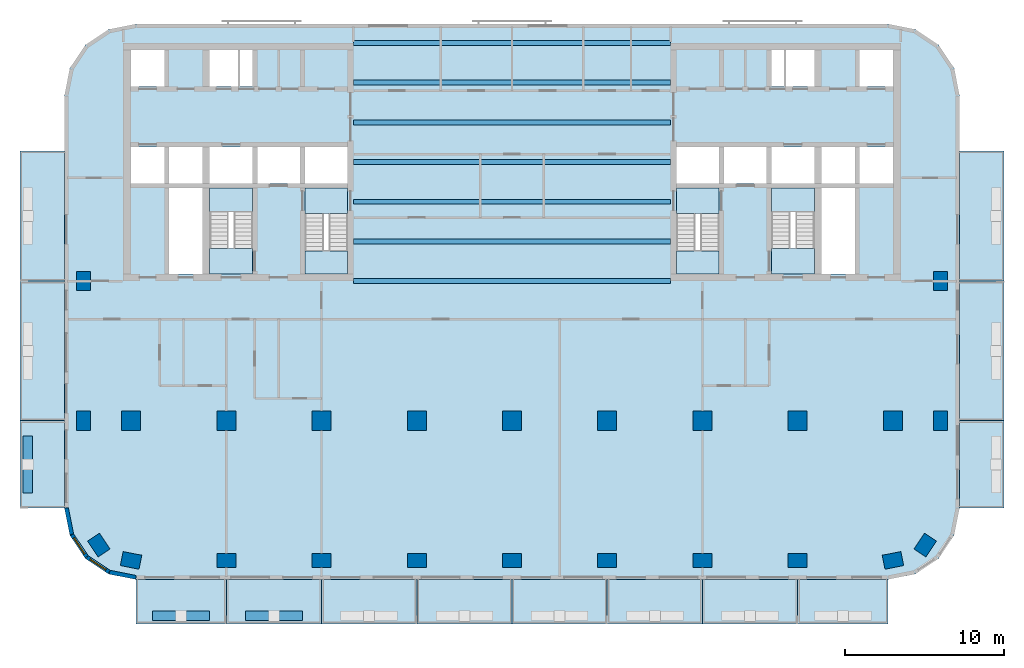
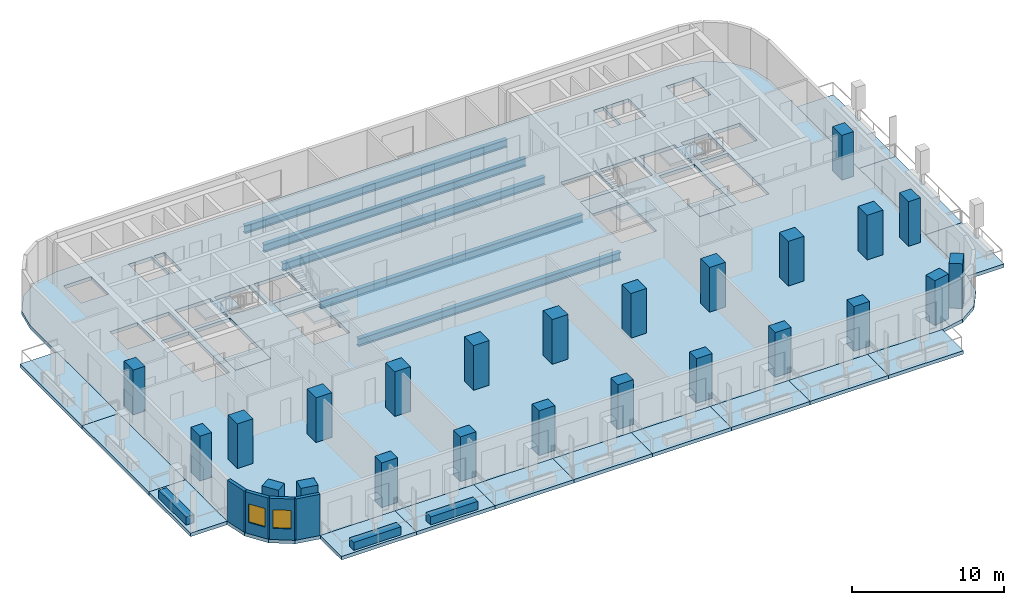
# One storey, part 1 of 11: 24 columns, 23 slabs, 7 beams, 7 walls, 2 windows, 2 openings, 4 elements without a shape of their own.
"""IFC4 building model written with IfcOpenShell, lengths in metres."""

from ifc_helpers import new_model, si_unit, direction, frame, frame_2d, origin, origin_2d, place, context, subcontext, project, spatial, polyline, rectangle, i_section, outline, extrude, material, layer, layer_set, material_profile, profile_set, type_object, element, fill, aggregate, save


model = new_model("IFC4")

# Units and contexts
model_context = context("Model", 3, precision=1e-05, world=origin(), true_north=direction((0.0, 1.0)))
body_context = subcontext(model_context, "Body", "Model", "MODEL_VIEW")
ifc_project = project(units=[si_unit("LENGTHUNIT", "METRE"), si_unit("AREAUNIT", "SQUARE_METRE"), si_unit("VOLUMEUNIT", "CUBIC_METRE"), si_unit("PLANEANGLEUNIT", "RADIAN"), si_unit("MASSUNIT", "GRAM", prefix="KILO")], contexts=[model_context])

# Site, building, storey
site_placement = place(None, origin())
site = spatial("IfcSite", under=ifc_project, at=site_placement, CompositionType="ELEMENT")
building_placement = place(site_placement, origin())
building = spatial("IfcBuilding", under=site, at=building_placement, Name="Torana Hotel and Residences", CompositionType="ELEMENT")
storey_placement = place(building_placement, frame((0.0, 0.0, 166.800048828125)))
storey = spatial("IfcBuildingStorey", under=building, at=storey_placement, Name="L43", CompositionType="ELEMENT", Elevation=166.800048828125)

# Columns
ifc_material_1 = material(Name="Concrete C70/85", Category="concrete")
ifc_material_profile_1 = material_profile(ifc_material_1, rectangle(XDim=1.199951171875, YDim=1.199951171875, at=origin_2d()), Name="RC 1200x1200")
ifc_profile_set_1 = profile_set([ifc_material_profile_1], Name="Concrete C70/85")
column_type_1 = type_object("IfcColumnType", Name="COLUMN RC 1200x1200 C70/85", PredefinedType="COLUMN", material=ifc_profile_set_1)
for number, where, z_axis, x_axis, name in (
    (1, (-24.0, -23.800048828125, 0.0), (0.0, 0.0, 1.0), (1.0, 0.0, 0.0), "Column L43"),
    (2, (-18.0, -23.800048828125, 0.0), (0.0, 0.0, 1.0), (1.0, 0.0, 0.0), "Column L43"),
    (3, (-12.0, -23.800048828125, 0.0), (0.0, 0.0, 1.0), (1.0, 0.0, 0.0), "Column L43"),
    (4, (-6.0, -23.800048828125, 0.0), (0.0, 0.0, 1.0), (1.0, 0.0, 0.0), "Column L43"),
    (5, (0.0, -23.800048828125, 0.0), (0.0, 0.0, 1.0), (1.0, 0.0, 0.0), "Column L43"),
    (6, (6.0, -23.800048828125, 0.0), (0.0, 0.0, 1.0), (1.0, 0.0, 0.0), "Column L43"),
    (7, (12.0, -23.800048828125, 0.0), (0.0, 0.0, 1.0), (1.0, 0.0, 0.0), "Column L43"),
    (8, (18.0, -23.800048828125, 0.0), (0.0, 0.0, 1.0), (1.0, 0.0, 0.0), "Column L43"),
    (9, (24.0, -23.800048828125, 0.0), (0.0, 0.0, 1.0), (1.0, 0.0, 0.0), "Column L43"),
):
    element("IfcColumn", number, at=place(storey_placement, frame(where, z_axis=z_axis, x_axis=x_axis)), inside=storey, type_object=column_type_1, Name=name, PredefinedType="COLUMN", context=body_context, shape_type="SweptSolid", body=[
        extrude(rectangle(XDim=1.199951171875, YDim=1.199951171875, at=origin_2d()), origin(), (0.0, 0.0, 1.0), 3.599853515625),
    ])
ifc_material_2 = material(Name="Concrete C70/85", Category="concrete")
ifc_material_profile_2 = material_profile(ifc_material_2, rectangle(XDim=1.199951171875, YDim=0.89990234375, at=origin_2d()), Name="RC 1200x900")
ifc_profile_set_2 = profile_set([ifc_material_profile_2], Name="Concrete C70/85")
column_type_2 = type_object("IfcColumnType", Name="COLUMN RC 1200x900 C70/85", PredefinedType="COLUMN", material=ifc_profile_set_2)
for number, where, z_axis, x_axis, name in (
    (10, (-27.0, -23.800048828125, 0.0), (0.0, 0.0, 1.0), (0.0, 1.0, 0.0), "Column L43"),
    (11, (-27.0, -15.0, 0.0), (0.0, 0.0, 1.0), (0.0, 1.0, 0.0), "Column L43"),
    (12, (-26.032958984375, -31.633056640625, 0.0), (0.0, 0.0, 1.0), (-0.555584744817, 0.831459915646, 0.0), "Column L43"),
    (13, (-24.0, -32.60009765625, 0.0), (0.0, 0.0, 1.0), (-0.980792089743, 0.195056086032, 0.0), "Column L43"),
    (14, (-18.0, -32.60009765625, 0.0), (0.0, 0.0, 1.0), (1.0, 0.0, 0.0), "Column L43"),
    (15, (-12.0, -32.60009765625, 0.0), (0.0, 0.0, 1.0), (1.0, 0.0, 0.0), "Column L43"),
    (16, (-6.0, -32.60009765625, 0.0), (0.0, 0.0, 1.0), (1.0, 0.0, 0.0), "Column L43"),
    (17, (0.0, -32.60009765625, 0.0), (0.0, 0.0, 1.0), (1.0, 0.0, 0.0), "Column L43"),
    (18, (6.0, -32.60009765625, 0.0), (0.0, 0.0, 1.0), (1.0, 0.0, 0.0), "Column L43"),
    (19, (12.0, -32.60009765625, 0.0), (0.0, 0.0, 1.0), (1.0, 0.0, 0.0), "Column L43"),
    (20, (18.0, -32.60009765625, 0.0), (0.0, 0.0, 1.0), (1.0, 0.0, 0.0), "Column L43"),
    (21, (24.0, -32.60009765625, 0.0), (0.0, 0.0, 1.0), (0.980792089743, 0.195056086032, 0.0), "Column L43"),
    (22, (26.032958984375, -31.633056640625, 0.0), (0.0, 0.0, 1.0), (0.555584744817, 0.831459915646, 0.0), "Column L43"),
    (23, (27.0, -23.800048828125, 0.0), (0.0, 0.0, 1.0), (0.0, 1.0, 0.0), "Column L43"),
    (24, (27.0, -15.0, 0.0), (0.0, 0.0, 1.0), (0.0, 1.0, 0.0), "Column L43"),
):
    element("IfcColumn", number, at=place(storey_placement, frame(where, z_axis=z_axis, x_axis=x_axis)), inside=storey, type_object=column_type_2, Name=name, PredefinedType="COLUMN", context=body_context, shape_type="SweptSolid", body=[
        extrude(rectangle(XDim=1.199951171875, YDim=0.89990234375, at=origin_2d()), origin(), (0.0, 0.0, 1.0), 3.599853515625),
    ])

# Beams
ifc_material_3 = material(Name="Steel S355", Category="steel")
ifc_material_profile_3 = material_profile(ifc_material_3, i_section(OverallWidth=0.311279296875, OverallDepth=0.6357421875, WebThickness=0.018310546875, FlangeThickness=0.031494140625, FilletRadius=0.0166015625, at=origin_2d()), Name="610x305x238 UB")
ifc_profile_set_3 = profile_set([ifc_material_profile_3], Name="Steel S355")
beam_type = type_object("IfcBeamType", Name="STEEL GIRDER 610x305x238 UB", PredefinedType="BEAM", material=ifc_profile_set_3)
for number, where, z_axis, x_axis, name in (
    (25, (-10.0, -15.0, -0.597900390625), (1.0, 0.0, 0.0), (0.0, 1.0, 0.0), "Floor girder"),
    (26, (-10.0, -12.5, -0.597900390625), (1.0, 0.0, 0.0), (0.0, 1.0, 0.0), "Floor girder"),
    (27, (-10.0, -10.0, -0.597900390625), (1.0, 0.0, 0.0), (0.0, 1.0, 0.0), "Floor girder"),
    (28, (-10.0, -7.5, -0.597900390625), (1.0, 0.0, 0.0), (0.0, 1.0, 0.0), "Floor girder"),
    (29, (-10.0, -5.0, -0.597900390625), (1.0, 0.0, 0.0), (0.0, 1.0, 0.0), "Floor girder"),
    (30, (-10.0, -2.5, -0.597900390625), (1.0, 0.0, 0.0), (0.0, 1.0, 0.0), "Floor girder"),
    (31, (-10.0, 0.0, -0.597900390625), (1.0, 0.0, 0.0), (0.0, 1.0, 0.0), "Floor girder"),
):
    element("IfcBeam", number, at=place(storey_placement, frame(where, z_axis=z_axis, x_axis=x_axis)), inside=storey, type_object=beam_type, Name=name, PredefinedType="BEAM", context=body_context, shape_type="SweptSolid", body=[
        extrude(i_section(OverallWidth=0.311279296875, OverallDepth=0.6357421875, WebThickness=0.018310546875, FlangeThickness=0.031494140625, FilletRadius=0.0166015625, at=origin_2d()), origin(), (0.0, 0.0, 1.0), 20.0),
    ])

# Slabs
ifc_material_4 = material(Name="Concrete C40/50", Category="concrete")
ifc_layer_1 = layer(ifc_material_4, 0.280029296875)
ifc_layer_set_1 = layer_set([ifc_layer_1], Name="BAL1 BALCONY SLAB 280")
slab_type_1 = type_object("IfcSlabType", Name="BAL1 BALCONY SLAB 280", PredefinedType="USERDEFINED", material=ifc_layer_set_1)
slab_1_placement = place(storey_placement, frame((0.0, 0.0, -0.280029296875)))
element("IfcSlab", 32, at=slab_1_placement, inside=storey, type_object=slab_type_1, Name="Balcony 01", ObjectType="BALCONY", PredefinedType="USERDEFINED", context=body_context, shape_type="SweptSolid", body=[
    extrude(outline(polyline([(-23.699951171875, -36.60009765625), (-18.0, -36.60009765625), (-18.0, -33.800048828125), (-23.699951171875, -33.800048828125), (-23.699951171875, -36.60009765625)])), origin(), (0.0, 0.0, 1.0), 0.280029296875),
])
slab_2_placement = place(storey_placement, frame((0.0, 0.0, -0.280029296875)))
element("IfcSlab", 33, at=slab_2_placement, inside=storey, type_object=slab_type_1, Name="Balcony 02", ObjectType="BALCONY", PredefinedType="USERDEFINED", context=body_context, shape_type="SweptSolid", body=[
    extrude(outline(polyline([(-18.0, -36.60009765625), (-12.0, -36.60009765625), (-12.0, -33.800048828125), (-18.0, -33.800048828125), (-18.0, -36.60009765625)])), origin(), (0.0, 0.0, 1.0), 0.280029296875),
])
slab_3_placement = place(storey_placement, frame((0.0, 0.0, -0.280029296875)))
element("IfcSlab", 34, at=slab_3_placement, inside=storey, type_object=slab_type_1, Name="Balcony 03", ObjectType="BALCONY", PredefinedType="USERDEFINED", context=body_context, shape_type="SweptSolid", body=[
    extrude(outline(polyline([(-12.0, -36.60009765625), (-6.0, -36.60009765625), (-6.0, -33.800048828125), (-12.0, -33.800048828125), (-12.0, -36.60009765625)])), origin(), (0.0, 0.0, 1.0), 0.280029296875),
])
slab_4_placement = place(storey_placement, frame((0.0, 0.0, -0.280029296875)))
element("IfcSlab", 35, at=slab_4_placement, inside=storey, type_object=slab_type_1, Name="Balcony 04", ObjectType="BALCONY", PredefinedType="USERDEFINED", context=body_context, shape_type="SweptSolid", body=[
    extrude(outline(polyline([(-6.0, -36.60009765625), (0.0, -36.60009765625), (0.0, -33.800048828125), (-6.0, -33.800048828125), (-6.0, -36.60009765625)])), origin(), (0.0, 0.0, 1.0), 0.280029296875),
])
slab_5_placement = place(storey_placement, frame((0.0, 0.0, -0.280029296875)))
element("IfcSlab", 36, at=slab_5_placement, inside=storey, type_object=slab_type_1, Name="Balcony 05", ObjectType="BALCONY", PredefinedType="USERDEFINED", context=body_context, shape_type="SweptSolid", body=[
    extrude(outline(polyline([(0.0, -36.60009765625), (6.0, -36.60009765625), (6.0, -33.800048828125), (0.0, -33.800048828125), (0.0, -36.60009765625)])), origin(), (0.0, 0.0, 1.0), 0.280029296875),
])
slab_6_placement = place(storey_placement, frame((0.0, 0.0, -0.280029296875)))
element("IfcSlab", 37, at=slab_6_placement, inside=storey, type_object=slab_type_1, Name="Balcony 06", ObjectType="BALCONY", PredefinedType="USERDEFINED", context=body_context, shape_type="SweptSolid", body=[
    extrude(outline(polyline([(6.0, -36.60009765625), (12.0, -36.60009765625), (12.0, -33.800048828125), (6.0, -33.800048828125), (6.0, -36.60009765625)])), origin(), (0.0, 0.0, 1.0), 0.280029296875),
])
slab_7_placement = place(storey_placement, frame((0.0, 0.0, -0.280029296875)))
element("IfcSlab", 38, at=slab_7_placement, inside=storey, type_object=slab_type_1, Name="Balcony 07", ObjectType="BALCONY", PredefinedType="USERDEFINED", context=body_context, shape_type="SweptSolid", body=[
    extrude(outline(polyline([(12.0, -36.60009765625), (18.0, -36.60009765625), (18.0, -33.800048828125), (12.0, -33.800048828125), (12.0, -36.60009765625)])), origin(), (0.0, 0.0, 1.0), 0.280029296875),
])
slab_8_placement = place(storey_placement, frame((0.0, 0.0, -0.280029296875)))
element("IfcSlab", 39, at=slab_8_placement, inside=storey, type_object=slab_type_1, Name="Balcony 08", ObjectType="BALCONY", PredefinedType="USERDEFINED", context=body_context, shape_type="SweptSolid", body=[
    extrude(outline(polyline([(18.0, -36.60009765625), (23.699951171875, -36.60009765625), (23.699951171875, -33.800048828125), (18.0, -33.800048828125), (18.0, -36.60009765625)])), origin(), (0.0, 0.0, 1.0), 0.280029296875),
])
slab_9_placement = place(storey_placement, frame((0.0, 0.0, -0.280029296875)))
element("IfcSlab", 40, at=slab_9_placement, inside=storey, type_object=slab_type_1, Name="Balcony 09", ObjectType="BALCONY", PredefinedType="USERDEFINED", context=body_context, shape_type="SweptSolid", body=[
    extrude(outline(polyline([(-31.0, -29.300048828125), (-28.199951171875, -29.300048828125), (-28.199951171875, -23.800048828125), (-31.0, -23.800048828125), (-31.0, -29.300048828125)])), origin(), (0.0, 0.0, 1.0), 0.280029296875),
])
slab_10_placement = place(storey_placement, frame((0.0, 0.0, -0.280029296875)))
element("IfcSlab", 41, at=slab_10_placement, inside=storey, type_object=slab_type_1, Name="Balcony 10", ObjectType="BALCONY", PredefinedType="USERDEFINED", context=body_context, shape_type="SweptSolid", body=[
    extrude(outline(polyline([(-31.0, -23.800048828125), (-28.199951171875, -23.800048828125), (-28.199951171875, -15.0), (-31.0, -15.0), (-31.0, -23.800048828125)])), origin(), (0.0, 0.0, 1.0), 0.280029296875),
])
slab_11_placement = place(storey_placement, frame((0.0, 0.0, -0.280029296875)))
element("IfcSlab", 42, at=slab_11_placement, inside=storey, type_object=slab_type_1, Name="Balcony 11", ObjectType="BALCONY", PredefinedType="USERDEFINED", context=body_context, shape_type="SweptSolid", body=[
    extrude(outline(polyline([(-31.0, -15.0), (-28.199951171875, -15.0), (-28.199951171875, -6.800048828125), (-31.0, -6.800048828125), (-31.0, -15.0)])), origin(), (0.0, 0.0, 1.0), 0.280029296875),
])
slab_12_placement = place(storey_placement, frame((0.0, 0.0, -0.280029296875)))
element("IfcSlab", 43, at=slab_12_placement, inside=storey, type_object=slab_type_1, Name="Balcony 12", ObjectType="BALCONY", PredefinedType="USERDEFINED", context=body_context, shape_type="SweptSolid", body=[
    extrude(outline(polyline([(28.199951171875, -29.300048828125), (31.0, -29.300048828125), (31.0, -23.800048828125), (28.199951171875, -23.800048828125), (28.199951171875, -29.300048828125)])), origin(), (0.0, 0.0, 1.0), 0.280029296875),
])
slab_13_placement = place(storey_placement, frame((0.0, 0.0, -0.280029296875)))
element("IfcSlab", 44, at=slab_13_placement, inside=storey, type_object=slab_type_1, Name="Balcony 13", ObjectType="BALCONY", PredefinedType="USERDEFINED", context=body_context, shape_type="SweptSolid", body=[
    extrude(outline(polyline([(28.199951171875, -23.800048828125), (31.0, -23.800048828125), (31.0, -15.0), (28.199951171875, -15.0), (28.199951171875, -23.800048828125)])), origin(), (0.0, 0.0, 1.0), 0.280029296875),
])
slab_14_placement = place(storey_placement, frame((0.0, 0.0, -0.280029296875)))
element("IfcSlab", 45, at=slab_14_placement, inside=storey, type_object=slab_type_1, Name="Balcony 14", ObjectType="BALCONY", PredefinedType="USERDEFINED", context=body_context, shape_type="SweptSolid", body=[
    extrude(outline(polyline([(28.199951171875, -15.0), (31.0, -15.0), (31.0, -6.800048828125), (28.199951171875, -6.800048828125), (28.199951171875, -15.0)])), origin(), (0.0, 0.0, 1.0), 0.280029296875),
])
ifc_material_5 = material(Name="Concrete C40/50", Category="concrete")
ifc_layer_2 = layer(ifc_material_5, 0.280029296875)
ifc_layer_set_2 = layer_set([ifc_layer_2], Name="FLOOR SLAB PT 280")
slab_type_2 = type_object("IfcSlabType", Name="FLOOR SLAB PT 280", PredefinedType="FLOOR", material=ifc_layer_set_2)
slab_15_placement = place(storey_placement, frame((0.0, 0.0, -0.280029296875)))
element("IfcSlab", 46, at=slab_15_placement, inside=storey, type_object=slab_type_2, Name="Floor slab", PredefinedType="FLOOR", context=body_context, shape_type="SweptSolid", body=[
    extrude(outline(polyline([(28.199951171875, -3.300048828125), (27.857421875, -1.577880859375), (26.882080078125, -0.117919921875), (25.422119140625, 0.857421875), (23.699951171875, 1.199951171875), (-23.699951171875, 1.199951171875), (-25.422119140625, 0.857421875), (-26.882080078125, -0.117919921875), (-27.857421875, -1.577880859375), (-28.199951171875, -3.300048828125), (-28.199951171875, -29.300048828125), (-27.857421875, -31.022216796875), (-26.882080078125, -32.48193359375), (-25.422119140625, -33.45751953125), (-23.699951171875, -33.800048828125), (23.699951171875, -33.800048828125), (25.422119140625, -33.45751953125), (26.882080078125, -32.48193359375), (27.857421875, -31.022216796875), (28.199951171875, -29.300048828125), (28.199951171875, -3.300048828125)]), holes=[polyline([(-13.050048828125, -14.550048828125), (-10.35009765625, -14.550048828125), (-10.35009765625, -9.14990234375), (-13.050048828125, -9.14990234375), (-13.050048828125, -14.550048828125)]), polyline([(-19.050048828125, -14.550048828125), (-16.35009765625, -14.550048828125), (-16.35009765625, -9.14990234375), (-19.050048828125, -9.14990234375), (-19.050048828125, -14.550048828125)]), polyline([(-17.125, -2.75), (-16.35009765625, -2.75), (-16.35009765625, -0.449951171875), (-17.125, -0.449951171875), (-17.125, -2.75)]), polyline([(-19.050048828125, -2.75), (-17.27490234375, -2.75), (-17.27490234375, -0.449951171875), (-19.050048828125, -0.449951171875), (-19.050048828125, -2.75)]), polyline([(-21.60009765625, -8.85009765625), (-19.5, -8.85009765625), (-19.5, -6.550048828125), (-21.60009765625, -6.550048828125), (-21.60009765625, -8.85009765625)]), polyline([(-24.0, -2.75), (-21.89990234375, -2.75), (-21.89990234375, -0.449951171875), (-24.0, -0.449951171875), (-24.0, -2.75)]), polyline([(-24.0, -8.85009765625), (-21.89990234375, -8.85009765625), (-21.89990234375, -6.550048828125), (-24.0, -6.550048828125), (-24.0, -8.85009765625)]), polyline([(-13.050048828125, -8.85009765625), (-10.35009765625, -8.85009765625), (-10.35009765625, -6.550048828125), (-13.050048828125, -6.550048828125), (-13.050048828125, -8.85009765625)]), polyline([(-16.050048828125, -8.85009765625), (-13.35009765625, -8.85009765625), (-13.35009765625, -6.550048828125), (-16.050048828125, -6.550048828125), (-16.050048828125, -8.85009765625)]), polyline([(-19.050048828125, -8.85009765625), (-16.35009765625, -8.85009765625), (-16.35009765625, -6.550048828125), (-19.050048828125, -6.550048828125), (-19.050048828125, -8.85009765625)]), polyline([(-21.60009765625, -14.550048828125), (-19.5, -14.550048828125), (-19.5, -9.14990234375), (-21.60009765625, -9.14990234375), (-21.60009765625, -14.550048828125)]), polyline([(10.35009765625, -14.550048828125), (13.050048828125, -14.550048828125), (13.050048828125, -9.14990234375), (10.35009765625, -9.14990234375), (10.35009765625, -14.550048828125)]), polyline([(16.35009765625, -14.550048828125), (19.050048828125, -14.550048828125), (19.050048828125, -9.14990234375), (16.35009765625, -9.14990234375), (16.35009765625, -14.550048828125)]), polyline([(16.35009765625, -2.75), (17.125, -2.75), (17.125, -0.449951171875), (16.35009765625, -0.449951171875), (16.35009765625, -2.75)]), polyline([(17.27490234375, -2.75), (19.050048828125, -2.75), (19.050048828125, -0.449951171875), (17.27490234375, -0.449951171875), (17.27490234375, -2.75)]), polyline([(19.5, -8.85009765625), (21.60009765625, -8.85009765625), (21.60009765625, -6.550048828125), (19.5, -6.550048828125), (19.5, -8.85009765625)]), polyline([(21.89990234375, -2.75), (24.0, -2.75), (24.0, -0.449951171875), (21.89990234375, -0.449951171875), (21.89990234375, -2.75)]), polyline([(21.89990234375, -8.85009765625), (24.0, -8.85009765625), (24.0, -6.550048828125), (21.89990234375, -6.550048828125), (21.89990234375, -8.85009765625)]), polyline([(10.35009765625, -8.85009765625), (13.050048828125, -8.85009765625), (13.050048828125, -6.550048828125), (10.35009765625, -6.550048828125), (10.35009765625, -8.85009765625)]), polyline([(13.35009765625, -8.85009765625), (16.050048828125, -8.85009765625), (16.050048828125, -6.550048828125), (13.35009765625, -6.550048828125), (13.35009765625, -8.85009765625)]), polyline([(16.35009765625, -8.85009765625), (19.050048828125, -8.85009765625), (19.050048828125, -6.550048828125), (16.35009765625, -6.550048828125), (16.35009765625, -8.85009765625)]), polyline([(19.5, -14.550048828125), (21.60009765625, -14.550048828125), (21.60009765625, -9.14990234375), (19.5, -9.14990234375), (19.5, -14.550048828125)])]), origin(), (0.0, 0.0, 1.0), 0.280029296875),
])

# Stair, slabs
ifc_material_6 = material(Name="Concrete C40/50 precast", Category="concrete")
stair_type_1 = type_object("IfcStairType", Name="STAIR ST1 HALF TURN 1200", PredefinedType="HALF_TURN_STAIR", material=ifc_material_6)
stair_1_placement = place(storey_placement, origin())
stair_1 = element("IfcStair", 47, at=stair_1_placement, inside=storey, type_object=stair_type_1, Name="Stair ST1 L43", PredefinedType="HALF_TURN_STAIR")
ifc_material_7 = material(Name="Concrete C40/50 precast", Category="concrete")
ifc_layer_3 = layer(ifc_material_7, 0.199951171875)
ifc_layer_set_3 = layer_set([ifc_layer_3], Name="STAIR LANDING 200")
slab_type_3 = type_object("IfcSlabType", Name="STAIR LANDING 200", PredefinedType="LANDING", material=ifc_layer_set_3)
slab_16_placement = place(storey_placement, frame((0.0, 0.0, 1.599853515625)))
slab_16 = element("IfcSlab", 48, at=slab_16_placement, type_object=slab_type_3, Name="ST1 landing 1", PredefinedType="LANDING", context=body_context, shape_type="SweptSolid", body=[
    extrude(outline(polyline([(-13.050048828125, -14.550048828125), (-10.35009765625, -14.550048828125), (-10.35009765625, -13.090087890625), (-13.050048828125, -13.090087890625), (-13.050048828125, -14.550048828125)])), origin(), (0.0, 0.0, 1.0), 0.2001953125),
])
slab_17_placement = place(storey_placement, frame((0.0, 0.0, -0.199951171875)))
slab_17 = element("IfcSlab", 49, at=slab_17_placement, type_object=slab_type_3, Name="ST1 landing 2", PredefinedType="LANDING", context=body_context, shape_type="SweptSolid", body=[
    extrude(outline(polyline([(-13.050048828125, -10.75), (-10.35009765625, -10.75), (-10.35009765625, -9.14990234375), (-13.050048828125, -9.14990234375), (-13.050048828125, -10.75)])), origin(), (0.0, 0.0, 1.0), 0.199951171875),
])
aggregate(stair_1, [slab_16, slab_17])

ifc_material_8 = material(Name="Concrete C40/50 precast", Category="concrete")
stair_type_2 = type_object("IfcStairType", Name="STAIR ST2 HALF TURN 1200", PredefinedType="HALF_TURN_STAIR", material=ifc_material_8)
stair_2_placement = place(storey_placement, origin())
stair_2 = element("IfcStair", 50, at=stair_2_placement, inside=storey, type_object=stair_type_2, Name="Stair ST2 L43", PredefinedType="HALF_TURN_STAIR")
slab_18_placement = place(storey_placement, frame((0.0, 0.0, 1.599853515625)))
slab_18 = element("IfcSlab", 51, at=slab_18_placement, type_object=slab_type_3, Name="ST2 landing 1", PredefinedType="LANDING", context=body_context, shape_type="SweptSolid", body=[
    extrude(outline(polyline([(-19.050048828125, -10.610107421875), (-16.35009765625, -10.610107421875), (-16.35009765625, -9.14990234375), (-19.050048828125, -9.14990234375), (-19.050048828125, -10.610107421875)])), origin(), (0.0, 0.0, 1.0), 0.2001953125),
])
slab_19_placement = place(storey_placement, frame((0.0, 0.0, -0.199951171875)))
slab_19 = element("IfcSlab", 52, at=slab_19_placement, type_object=slab_type_3, Name="ST2 landing 2", PredefinedType="LANDING", context=body_context, shape_type="SweptSolid", body=[
    extrude(outline(polyline([(-19.050048828125, -14.550048828125), (-16.35009765625, -14.550048828125), (-16.35009765625, -12.949951171875), (-19.050048828125, -12.949951171875), (-19.050048828125, -14.550048828125)])), origin(), (0.0, 0.0, 1.0), 0.199951171875),
])
aggregate(stair_2, [slab_18, slab_19])

ifc_material_9 = material(Name="Concrete C40/50 precast", Category="concrete")
stair_type_3 = type_object("IfcStairType", Name="STAIR ST3 HALF TURN 1200", PredefinedType="HALF_TURN_STAIR", material=ifc_material_9)
stair_3_placement = place(storey_placement, origin())
stair_3 = element("IfcStair", 53, at=stair_3_placement, inside=storey, type_object=stair_type_3, Name="Stair ST3 L43", PredefinedType="HALF_TURN_STAIR")
slab_20_placement = place(storey_placement, frame((0.0, 0.0, 1.599853515625)))
slab_20 = element("IfcSlab", 54, at=slab_20_placement, type_object=slab_type_3, Name="ST3 landing 1", PredefinedType="LANDING", context=body_context, shape_type="SweptSolid", body=[
    extrude(outline(polyline([(10.35009765625, -14.550048828125), (13.050048828125, -14.550048828125), (13.050048828125, -13.090087890625), (10.35009765625, -13.090087890625), (10.35009765625, -14.550048828125)])), origin(), (0.0, 0.0, 1.0), 0.2001953125),
])
slab_21_placement = place(storey_placement, frame((0.0, 0.0, -0.199951171875)))
slab_21 = element("IfcSlab", 55, at=slab_21_placement, type_object=slab_type_3, Name="ST3 landing 2", PredefinedType="LANDING", context=body_context, shape_type="SweptSolid", body=[
    extrude(outline(polyline([(10.35009765625, -10.75), (13.050048828125, -10.75), (13.050048828125, -9.14990234375), (10.35009765625, -9.14990234375), (10.35009765625, -10.75)])), origin(), (0.0, 0.0, 1.0), 0.199951171875),
])
aggregate(stair_3, [slab_20, slab_21])

ifc_material_10 = material(Name="Concrete C40/50 precast", Category="concrete")
stair_type_4 = type_object("IfcStairType", Name="STAIR ST4 HALF TURN 1200", PredefinedType="HALF_TURN_STAIR", material=ifc_material_10)
stair_4_placement = place(storey_placement, origin())
stair_4 = element("IfcStair", 56, at=stair_4_placement, inside=storey, type_object=stair_type_4, Name="Stair ST4 L43", PredefinedType="HALF_TURN_STAIR")
slab_22_placement = place(storey_placement, frame((0.0, 0.0, 1.599853515625)))
slab_22 = element("IfcSlab", 57, at=slab_22_placement, type_object=slab_type_3, Name="ST4 landing 1", PredefinedType="LANDING", context=body_context, shape_type="SweptSolid", body=[
    extrude(outline(polyline([(16.35009765625, -10.610107421875), (19.050048828125, -10.610107421875), (19.050048828125, -9.14990234375), (16.35009765625, -9.14990234375), (16.35009765625, -10.610107421875)])), origin(), (0.0, 0.0, 1.0), 0.2001953125),
])
slab_23_placement = place(storey_placement, frame((0.0, 0.0, -0.199951171875)))
slab_23 = element("IfcSlab", 58, at=slab_23_placement, type_object=slab_type_3, Name="ST4 landing 2", PredefinedType="LANDING", context=body_context, shape_type="SweptSolid", body=[
    extrude(outline(polyline([(16.35009765625, -14.550048828125), (19.050048828125, -14.550048828125), (19.050048828125, -12.949951171875), (16.35009765625, -12.949951171875), (16.35009765625, -14.550048828125)])), origin(), (0.0, 0.0, 1.0), 0.199951171875),
])
aggregate(stair_4, [slab_22, slab_23])

# Wall
ifc_material_11 = material(Name="Black aluminium composite panel", Category="aluminium")
ifc_layer_4 = layer(ifc_material_11, 0.00390625, Name="Cladding", Category="cladding")
ifc_material_12 = material(Name="Ventilated air cavity")
ifc_layer_5 = layer(ifc_material_12, 0.0400390625, Name="Ventilated cavity", Category="cavity")
ifc_material_13 = material(Name="Mineral wool insulation")
ifc_layer_6 = layer(ifc_material_13, 0.090087890625, Name="Insulation", Category="insulation")
ifc_material_14 = material(Name="Steel S280GD", Category="steel")
ifc_layer_7 = layer(ifc_material_14, 0.092041015625, Name="Steel stud frame", Category="structure")
ifc_material_15 = material(Name="Fire rated plasterboard")
ifc_layer_8 = layer(ifc_material_15, 0.011962890625, Name="Inner board", Category="finish")
ifc_layer_9 = layer(ifc_material_15, 0.011962890625, Name="Second board", Category="finish")
ifc_layer_set_4 = layer_set([ifc_layer_4, ifc_layer_5, ifc_layer_6, ifc_layer_7, ifc_layer_8, ifc_layer_9], Name="EW1 EXTERNAL WALL BLACK METAL CLAD 250")
wall_type_1 = type_object("IfcWallType", Name="EW1 EXTERNAL WALL BLACK METAL CLAD 250", PredefinedType="SOLIDWALL", material=ifc_layer_set_4)
wall_1_placement = place(storey_placement, frame((-28.072509765625, -29.2998046875, 0.0), z_axis=(0.0, 0.0, 1.0), x_axis=(0.194999110559, -0.980803419081, 0.0)))
element("IfcWall", 59, at=wall_1_placement, inside=storey, type_object=wall_type_1, Name="External wall L43 e0.10", PredefinedType="SOLIDWALL", context=body_context, shape_type="SweptSolid", body=[
    extrude(rectangle(XDim=1.681396484375, YDim=0.25, at=frame_2d((0.8408203125, 0.0))), origin(), (0.0, 0.0, 1.0), 3.320068359375),
])

# Wall, opening, window
wall_2_placement = place(storey_placement, frame((-27.725830078125, -30.993896484375, 0.0), z_axis=(0.0, 0.0, 1.0), x_axis=(0.55555029066, -0.831482937015, 0.0)))
wall_2 = element("IfcWall", 60, at=wall_2_placement, inside=storey, type_object=wall_type_1, Name="External wall L43 e0.11", PredefinedType="SOLIDWALL", context=body_context, shape_type="SweptSolid", body=[
    extrude(rectangle(XDim=1.65625, YDim=0.25, at=frame_2d((0.828125, 0.0))), origin(), (0.0, 0.0, 1.0), 3.320068359375),
])
opening_1_placement = place(wall_2_placement, frame((0.228271484375, 0.0, 0.89990234375)))
opening_1 = element("IfcOpeningElement", 61, at=opening_1_placement, cuts=wall_2, Name="Opening W5", PredefinedType="OPENING", context=body_context, shape_type="SweptSolid", body=[
    extrude(rectangle(XDim=1.199951171875, YDim=1.5, at=frame_2d((0.60009765625, 0.75))), frame((0.0, 0.135009765625, 0.0), z_axis=(0.0, -1.0, 0.0), x_axis=(1.0, 0.0, 0.0)), (0.0, 0.0, 1.0), 0.27001953125),
])
ifc_material_16 = material(Name="Dark glass in black aluminium frame", Category="aluminium")
window_type = type_object("IfcWindowType", Name="W5 CORNER FACET WINDOW 1200x1500", PartitioningType="SINGLE_PANEL", PredefinedType="WINDOW", material=ifc_material_16)
window_1_placement = place(opening_1_placement, origin())
window_1 = element("IfcWindow", 62, at=window_1_placement, inside=storey, type_object=window_type, Name="Window L43 e0.11", OverallHeight=1.5, OverallWidth=1.199951171875, PartitioningType="SINGLE_PANEL", PredefinedType="WINDOW", context=body_context, shape_type="SweptSolid", body=[
    extrude(rectangle(XDim=1.199951171875, YDim=1.5, at=frame_2d((0.60009765625, 0.75))), frame((0.0, 0.030029296875, 0.0), z_axis=(0.0, -1.0, 0.0), x_axis=(1.0, 0.0, 0.0)), (0.0, 0.0, 1.0), 0.06005859375),
])
fill(opening_1, window_1)

wall_3_placement = place(storey_placement, frame((-26.771240234375, -32.40576171875, 0.0), z_axis=(0.0, 0.0, 1.0), x_axis=(0.831482937015, -0.55555029066, 0.0)))
wall_3 = element("IfcWall", 63, at=wall_3_placement, inside=storey, type_object=wall_type_1, Name="External wall L43 e0.12", PredefinedType="SOLIDWALL", context=body_context, shape_type="SweptSolid", body=[
    extrude(rectangle(XDim=1.65625, YDim=0.25, at=frame_2d((0.828125, 0.0))), origin(), (0.0, 0.0, 1.0), 3.320068359375),
])
opening_2_placement = place(wall_3_placement, frame((0.228271484375, 0.0, 0.89990234375)))
opening_2 = element("IfcOpeningElement", 64, at=opening_2_placement, cuts=wall_3, Name="Opening W5", PredefinedType="OPENING", context=body_context, shape_type="SweptSolid", body=[
    extrude(rectangle(XDim=1.199951171875, YDim=1.5, at=frame_2d((0.60009765625, 0.75))), frame((0.0, 0.135009765625, 0.0), z_axis=(0.0, -1.0, 0.0), x_axis=(1.0, 0.0, 0.0)), (0.0, 0.0, 1.0), 0.27001953125),
])
window_2_placement = place(opening_2_placement, origin())
window_2 = element("IfcWindow", 65, at=window_2_placement, inside=storey, type_object=window_type, Name="Window L43 e0.12", OverallHeight=1.5, OverallWidth=1.199951171875, PartitioningType="SINGLE_PANEL", PredefinedType="WINDOW", context=body_context, shape_type="SweptSolid", body=[
    extrude(rectangle(XDim=1.199951171875, YDim=1.5, at=frame_2d((0.60009765625, 0.75))), frame((0.0, 0.030029296875, 0.0), z_axis=(0.0, -1.0, 0.0), x_axis=(1.0, 0.0, 0.0)), (0.0, 0.0, 1.0), 0.06005859375),
])
fill(opening_2, window_2)

# Walls
wall_4_placement = place(storey_placement, frame((-25.348876953125, -33.344482421875, 0.0), z_axis=(0.0, 0.0, 1.0), x_axis=(0.980775640221, -0.19513878023, 0.0)))
element("IfcWall", 66, at=wall_4_placement, inside=storey, type_object=wall_type_1, Name="External wall L43 e0.13", PredefinedType="SOLIDWALL", context=body_context, shape_type="SweptSolid", body=[
    extrude(rectangle(XDim=1.681396484375, YDim=0.25, at=frame_2d((0.8408203125, 0.0))), origin(), (0.0, 0.0, 1.0), 3.320068359375),
])
ifc_material_17 = material(Name="Concrete C40/50 precast", Category="concrete")
ifc_layer_10 = layer(ifc_material_17, 0.10009765625, Name="Planter shell", Category="structure")
ifc_material_18 = material(Name="Root resistant membrane")
ifc_layer_11 = layer(ifc_material_18, 0.00390625, Name="Waterproofing membrane", Category="membrane")
ifc_material_19 = material(Name="Drainage board with filter fleece")
ifc_layer_12 = layer(ifc_material_19, 0.02001953125, Name="Drainage board", Category="drainage")
ifc_material_20 = material(Name="Growing medium")
ifc_layer_13 = layer(ifc_material_20, 0.47607421875, Name="Planting substrate", Category="soil")
ifc_layer_set_5 = layer_set([ifc_layer_10, ifc_layer_11, ifc_layer_12, ifc_layer_13], Name="PL1 BALCONY PLANTER 600")
wall_type_2 = type_object("IfcWallType", Name="PL1 BALCONY PLANTER 600", PredefinedType="USERDEFINED", material=ifc_layer_set_5)
wall_5_placement = place(storey_placement, frame((-19.050048828125, -36.10009765625, 0.0), z_axis=(0.0, 0.0, 1.0), x_axis=(-1.0, 0.0, 0.0)))
element("IfcWall", 67, at=wall_5_placement, inside=storey, type_object=wall_type_2, Name="Planter 01", ObjectType="PLANTER", PredefinedType="USERDEFINED", context=body_context, shape_type="SweptSolid", body=[
    extrude(rectangle(XDim=3.599853515625, YDim=0.60009765625, at=frame_2d((1.7998046875, 0.0))), origin(), (0.0, 0.0, 1.0), 0.64990234375),
])
for number, where, z_axis, x_axis, name in (
    (68, (-13.199951171875, -36.10009765625, 0.0), (0.0, 0.0, 1.0), (-1.0, 0.0, 0.0), "Planter 02"),
    (69, (-30.5, -28.35009765625, 0.0), (0.0, 0.0, 1.0), (0.0, 1.0, 0.0), "Planter 09"),
):
    element("IfcWall", number, at=place(storey_placement, frame(where, z_axis=z_axis, x_axis=x_axis)), inside=storey, type_object=wall_type_2, Name=name, ObjectType="PLANTER", PredefinedType="USERDEFINED", context=body_context, shape_type="SweptSolid", body=[
        extrude(rectangle(XDim=3.60009765625, YDim=0.60009765625, at=frame_2d((1.800048828125, 0.0))), origin(), (0.0, 0.0, 1.0), 0.64990234375),
    ])

save(model, "model.ifc")
